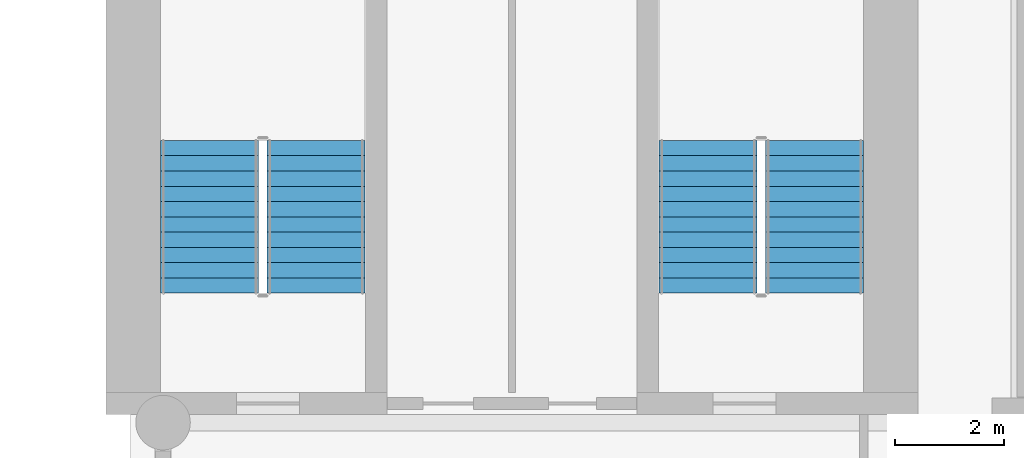
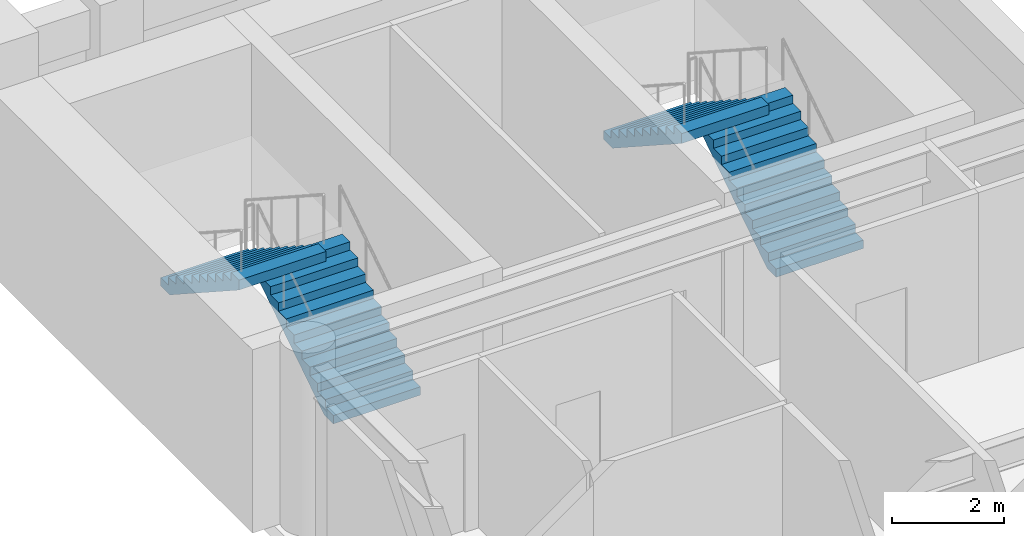
# One storey, part 7 of 10: 4 stair flights, 2 elements without a shape of their own.
"""IFC4 building model written with IfcOpenShell, lengths in metres."""

from ifc_helpers import new_model, si_unit, direction, frame, origin, place, context, subcontext, project, spatial, polyline, outline, extrude, material, type_object, element, aggregate, save


model = new_model("IFC4")

# Units and contexts
model_context = context("Model", 3, precision=1e-05, world=origin(), true_north=direction((0.0, 1.0)))
body_context = subcontext(model_context, "Body", "Model", "MODEL_VIEW")
ifc_project = project(units=[si_unit("LENGTHUNIT", "METRE"), si_unit("AREAUNIT", "SQUARE_METRE"), si_unit("VOLUMEUNIT", "CUBIC_METRE"), si_unit("PLANEANGLEUNIT", "RADIAN"), si_unit("MASSUNIT", "GRAM", prefix="KILO")], contexts=[model_context])

# Site, building, storey
site_placement = place(None, origin())
site = spatial("IfcSite", under=ifc_project, at=site_placement, CompositionType="ELEMENT")
building_placement = place(site_placement, origin())
building = spatial("IfcBuilding", under=site, at=building_placement, Name="Sulina Concourse Tower", CompositionType="ELEMENT")
storey_placement = place(building_placement, frame((0.0, 0.0, 30.60009765625)))
storey = spatial("IfcBuildingStorey", under=building, at=storey_placement, Name="L07", CompositionType="ELEMENT", Elevation=30.60009765625)

# Stair, stair flights
ifc_material_1 = material(Name="Concrete C50/60", Category="concrete")
stair_type = type_object("IfcStairType", Name="Portal & Podium Core Exit Stair 1820mm", PredefinedType="HALF_TURN_STAIR", material=ifc_material_1)
stair_1_placement = place(storey_placement, origin())
stair_1 = element("IfcStair", 1, at=stair_1_placement, inside=storey, type_object=stair_type, Name="L07 ST-3", PredefinedType="HALF_TURN_STAIR")
ifc_material_2 = material(Name="Concrete C50/60", Category="concrete")
stair_flight_type = type_object("IfcStairFlightType", Name="Portal & Podium Core Exit Stair 1820mm Flight", PredefinedType="STRAIGHT", material=ifc_material_2)
stair_flight_1_placement = place(storey_placement, frame((44.405029296875, 36.375, 0.0), z_axis=(0.0, 0.0, 1.0), x_axis=(0.0, 1.0, 0.0)))
stair_flight_1 = element("IfcStairFlight", 2, at=stair_flight_1_placement, type_object=stair_flight_type, Name="ST-3 flight 1", NumberOfRisers=11, NumberOfTreads=10, PredefinedType="STRAIGHT", RiserHeight=0.181818182, TreadLength=0.28, context=body_context, shape_type="SweptSolid", body=[
    extrude(outline(polyline([(0.0, 0.0), (0.0, 0.181884765625), (0.280029296875, 0.181884765625), (0.280029296875, 0.363525390625), (0.56005859375, 0.363525390625), (0.56005859375, 0.54541015625), (0.840087890625, 0.54541015625), (0.840087890625, 0.727294921875), (1.1201171875, 0.727294921875), (1.1201171875, 0.9091796875), (1.39990234375, 0.9091796875), (1.39990234375, 1.0908203125), (1.679931640625, 1.0908203125), (1.679931640625, 1.272705078125), (1.9599609375, 1.272705078125), (1.9599609375, 1.45458984375), (2.239990234375, 1.45458984375), (2.239990234375, 1.636474609375), (2.52001953125, 1.636474609375), (2.52001953125, 1.818115234375), (2.800048828125, 1.818115234375), (2.800048828125, 2.0), (2.800048828125, 1.603759765625), (0.330322265625, 0.0), (0.0, 0.0)])), frame((0.0, 0.89990234375, 0.0), z_axis=(0.0, -1.0, 0.0), x_axis=(1.0, 0.0, 0.0)), (0.0, 0.0, 1.0), 1.800048828125),
])
stair_flight_2_placement = place(storey_placement, frame((42.455078125, 39.175048828125, 2.0), z_axis=(0.0, 0.0, 1.0), x_axis=(0.0, -1.0, 0.0)))
stair_flight_2 = element("IfcStairFlight", 3, at=stair_flight_2_placement, type_object=stair_flight_type, Name="ST-3 flight 2", NumberOfRisers=11, NumberOfTreads=10, PredefinedType="STRAIGHT", RiserHeight=0.181818182, TreadLength=0.28, context=body_context, shape_type="SweptSolid", body=[
    extrude(outline(polyline([(0.0, 0.0), (0.0, 0.181884765625), (0.280029296875, 0.181884765625), (0.280029296875, 0.363525390625), (0.56005859375, 0.363525390625), (0.56005859375, 0.54541015625), (0.840087890625, 0.54541015625), (0.840087890625, 0.727294921875), (1.1201171875, 0.727294921875), (1.1201171875, 0.9091796875), (1.39990234375, 0.9091796875), (1.39990234375, 1.0908203125), (1.679931640625, 1.0908203125), (1.679931640625, 1.272705078125), (1.9599609375, 1.272705078125), (1.9599609375, 1.45458984375), (2.239990234375, 1.45458984375), (2.239990234375, 1.636474609375), (2.52001953125, 1.636474609375), (2.52001953125, 1.818115234375), (2.800048828125, 1.818115234375), (2.800048828125, 2.0), (2.800048828125, 1.603759765625), (0.330322265625, 0.0), (0.0, 0.0)])), frame((0.0, 0.89990234375, 0.0), z_axis=(0.0, -1.0, 0.0), x_axis=(1.0, 0.0, 0.0)), (0.0, 0.0, 1.0), 1.800048828125),
])
aggregate(stair_1, [stair_flight_1, stair_flight_2])

stair_2_placement = place(storey_placement, origin())
stair_2 = element("IfcStair", 4, at=stair_2_placement, inside=storey, type_object=stair_type, Name="L07 ST-4", PredefinedType="HALF_TURN_STAIR")
stair_flight_3_placement = place(storey_placement, frame((53.544921875, 36.375, 0.0), z_axis=(0.0, 0.0, 1.0), x_axis=(0.0, 1.0, 0.0)))
stair_flight_3 = element("IfcStairFlight", 5, at=stair_flight_3_placement, type_object=stair_flight_type, Name="ST-4 flight 1", NumberOfRisers=11, NumberOfTreads=10, PredefinedType="STRAIGHT", RiserHeight=0.181818182, TreadLength=0.28, context=body_context, shape_type="SweptSolid", body=[
    extrude(outline(polyline([(0.0, 0.0), (0.0, 0.181884765625), (0.280029296875, 0.181884765625), (0.280029296875, 0.363525390625), (0.56005859375, 0.363525390625), (0.56005859375, 0.54541015625), (0.840087890625, 0.54541015625), (0.840087890625, 0.727294921875), (1.1201171875, 0.727294921875), (1.1201171875, 0.9091796875), (1.39990234375, 0.9091796875), (1.39990234375, 1.0908203125), (1.679931640625, 1.0908203125), (1.679931640625, 1.272705078125), (1.9599609375, 1.272705078125), (1.9599609375, 1.45458984375), (2.239990234375, 1.45458984375), (2.239990234375, 1.636474609375), (2.52001953125, 1.636474609375), (2.52001953125, 1.818115234375), (2.800048828125, 1.818115234375), (2.800048828125, 2.0), (2.800048828125, 1.603759765625), (0.330322265625, 0.0), (0.0, 0.0)])), frame((0.0, 0.89990234375, 0.0), z_axis=(0.0, -1.0, 0.0), x_axis=(1.0, 0.0, 0.0)), (0.0, 0.0, 1.0), 1.800048828125),
])
stair_flight_4_placement = place(storey_placement, frame((51.594970703125, 39.175048828125, 2.0), z_axis=(0.0, 0.0, 1.0), x_axis=(0.0, -1.0, 0.0)))
stair_flight_4 = element("IfcStairFlight", 6, at=stair_flight_4_placement, type_object=stair_flight_type, Name="ST-4 flight 2", NumberOfRisers=11, NumberOfTreads=10, PredefinedType="STRAIGHT", RiserHeight=0.181818182, TreadLength=0.28, context=body_context, shape_type="SweptSolid", body=[
    extrude(outline(polyline([(0.0, 0.0), (0.0, 0.181884765625), (0.280029296875, 0.181884765625), (0.280029296875, 0.363525390625), (0.56005859375, 0.363525390625), (0.56005859375, 0.54541015625), (0.840087890625, 0.54541015625), (0.840087890625, 0.727294921875), (1.1201171875, 0.727294921875), (1.1201171875, 0.9091796875), (1.39990234375, 0.9091796875), (1.39990234375, 1.0908203125), (1.679931640625, 1.0908203125), (1.679931640625, 1.272705078125), (1.9599609375, 1.272705078125), (1.9599609375, 1.45458984375), (2.239990234375, 1.45458984375), (2.239990234375, 1.636474609375), (2.52001953125, 1.636474609375), (2.52001953125, 1.818115234375), (2.800048828125, 1.818115234375), (2.800048828125, 2.0), (2.800048828125, 1.603759765625), (0.330322265625, 0.0), (0.0, 0.0)])), frame((0.0, 0.89990234375, 0.0), z_axis=(0.0, -1.0, 0.0), x_axis=(1.0, 0.0, 0.0)), (0.0, 0.0, 1.0), 1.800048828125),
])
aggregate(stair_2, [stair_flight_3, stair_flight_4])

save(model, "model.ifc")
